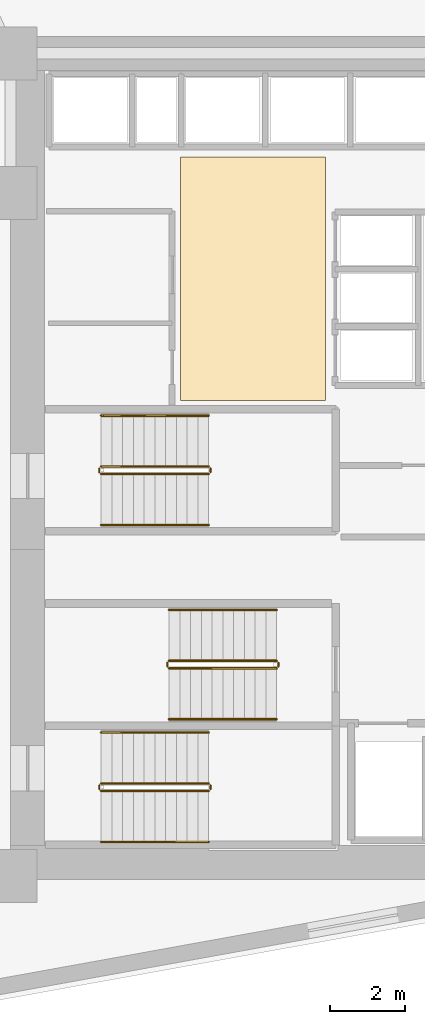
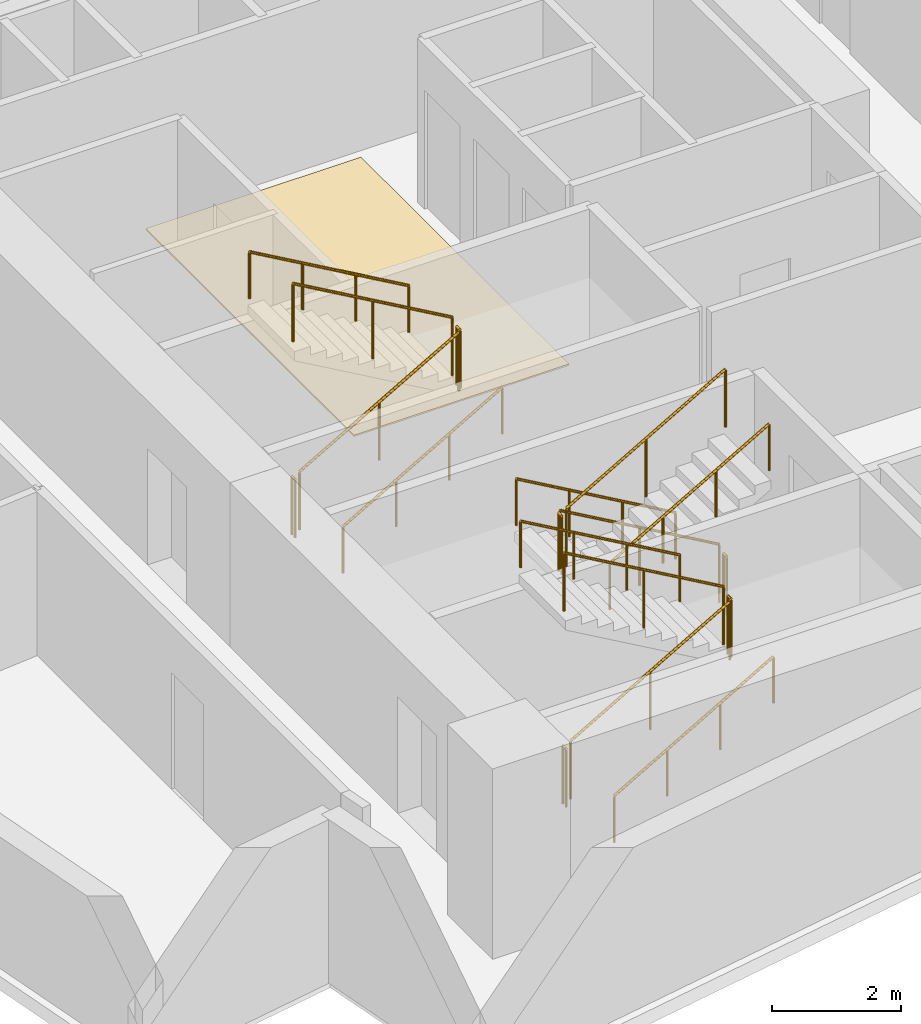
# One storey, part 19 of 20: 18 railings, 1 covering.
"""IFC4 building model written with IfcOpenShell, lengths in metres."""

from ifc_helpers import new_model, si_unit, direction, frame, origin, origin_2d, place, context, subcontext, project, spatial, polyline, circle, outline, extrude, material, layer, layer_set, type_object, element, save


model = new_model("IFC4")

# Units and contexts
model_context = context("Model", 3, precision=1e-05, world=origin(), true_north=direction((0.0, 1.0)))
body_context = subcontext(model_context, "Body", "Model", "MODEL_VIEW")
ifc_project = project(units=[si_unit("LENGTHUNIT", "METRE"), si_unit("AREAUNIT", "SQUARE_METRE"), si_unit("VOLUMEUNIT", "CUBIC_METRE"), si_unit("PLANEANGLEUNIT", "RADIAN"), si_unit("MASSUNIT", "GRAM", prefix="KILO")], contexts=[model_context])

# Site, building, storey
site_placement = place(None, origin())
site = spatial("IfcSite", under=ifc_project, at=site_placement, CompositionType="ELEMENT")
building_placement = place(site_placement, origin())
building = spatial("IfcBuilding", under=site, at=building_placement, Name="Narakoshi Arena Tower", CompositionType="ELEMENT")
storey_placement = place(building_placement, frame((0.0, 0.0, 124.5)))
storey = spatial("IfcBuildingStorey", under=building, at=storey_placement, Name="L33", CompositionType="ELEMENT", Elevation=124.5)

# Covering
ifc_material_1 = material(Name="Honed granite stone paving", Category="masonry")
ifc_layer = layer(ifc_material_1, 0.030029296875)
ifc_layer_set = layer_set([ifc_layer], Name="Honed granite stone paving")
covering_type = type_object("IfcCoveringType", Name="COV-FLR-ST30", PredefinedType="FLOORING", material=ifc_layer_set)
covering_placement = place(storey_placement, origin())
element("IfcCovering", 1, at=covering_placement, inside=storey, type_object=covering_type, Name="L33 Lift Lobby Granite Flooring", PredefinedType="FLOORING", context=body_context, shape_type="SweptSolid", body=[
    extrude(outline(polyline([(76.5, 47.300048828125), (80.35009765625, 47.300048828125), (80.35009765625, 53.75), (76.5, 53.75), (76.5, 47.300048828125)])), origin(), (0.0, 0.0, 1.0), 0.030029296875),
])

# Railings
ifc_material_2 = material(Name="Clear low-iron laminated structural glass", Category="glass")
railing_type_1 = type_object("IfcRailingType", Name="RL-BAL-1100", PredefinedType="BALUSTRADE", material=ifc_material_2)
railing_1_placement = place(storey_placement, frame((74.39990234375, 36.949951171875, 0.16357421875)))
element("IfcRailing", 2, at=railing_1_placement, inside=storey, type_object=railing_type_1, Name="L33 ST1 stair guard 1", PredefinedType="BALUSTRADE", context=body_context, shape_type="SweptSolid", body=[
    extrude(circle(Radius=0.02392578125, at=origin_2d()), frame((0.0, 0.0, 1.09619140625), z_axis=(0.86721270334, 0.0, 0.497937874806), x_axis=(0.0, 1.0, 0.0)), (0.0, 0.0, 1.0), 3.28662109375),
    extrude(circle(Radius=0.02099609375, at=origin_2d()), origin(), (0.0, 0.0, 1.0), 1.072021484375),
    extrude(circle(Radius=0.02099609375, at=origin_2d()), frame((1.425048828125, 0.0, 0.818359375)), (0.0, 0.0, 1.0), 1.072021484375),
    extrude(circle(Radius=0.02099609375, at=origin_2d()), frame((2.85009765625, 0.0, 1.636474609375)), (0.0, 0.0, 1.0), 1.072021484375),
])
railing_2_placement = place(storey_placement, frame((77.300048828125, 37.0, 1.800048828125)))
element("IfcRailing", 3, at=railing_2_placement, inside=storey, type_object=railing_type_1, Name="L33 ST1 stair guard 2", PredefinedType="BALUSTRADE", context=body_context, shape_type="SweptSolid", body=[
    extrude(circle(Radius=0.02392578125, at=origin_2d()), frame((0.0, 0.0, 1.09619140625), z_axis=(0.0, 1.0, 0.0), x_axis=(-1.0, 0.0, 0.0)), (0.0, 0.0, 1.0), 0.10009765625),
    extrude(circle(Radius=0.02099609375, at=origin_2d()), origin(), (0.0, 0.0, 1.0), 1.072021484375),
    extrude(circle(Radius=0.02099609375, at=origin_2d()), frame((0.0, 0.10009765625, 0.0)), (0.0, 0.0, 1.0), 1.072021484375),
])
railing_3_placement = place(storey_placement, frame((77.25, 37.14990234375, 1.963623046875)))
element("IfcRailing", 4, at=railing_3_placement, inside=storey, type_object=railing_type_1, Name="L33 ST1 stair guard 3", PredefinedType="BALUSTRADE", context=body_context, shape_type="SweptSolid", body=[
    extrude(circle(Radius=0.02392578125, at=origin_2d()), frame((0.0, 0.0, 1.09619140625), z_axis=(-0.86721270334, 0.0, 0.497937874806), x_axis=(0.0, -1.0, 0.0)), (0.0, 0.0, 1.0), 3.28662109375),
    extrude(circle(Radius=0.02099609375, at=origin_2d()), origin(), (0.0, 0.0, 1.0), 1.072021484375),
    extrude(circle(Radius=0.02099609375, at=origin_2d()), frame((-1.425048828125, 0.0, 0.818359375)), (0.0, 0.0, 1.0), 1.072021484375),
    extrude(circle(Radius=0.02099609375, at=origin_2d()), frame((-2.85009765625, 0.0, 1.636474609375)), (0.0, 0.0, 1.0), 1.072021484375),
])
railing_4_placement = place(storey_placement, frame((74.35009765625, 37.0, 0.0)))
element("IfcRailing", 5, at=railing_4_placement, inside=storey, type_object=railing_type_1, Name="L33 ST1 stair guard 4", PredefinedType="BALUSTRADE", context=body_context, shape_type="SweptSolid", body=[
    extrude(circle(Radius=0.02392578125, at=origin_2d()), frame((0.0, 0.0, 1.09619140625), z_axis=(0.0, 1.0, 0.0), x_axis=(-1.0, 0.0, 0.0)), (0.0, 0.0, 1.0), 0.10009765625),
    extrude(circle(Radius=0.02099609375, at=origin_2d()), origin(), (0.0, 0.0, 1.0), 1.072021484375),
    extrude(circle(Radius=0.02099609375, at=origin_2d()), frame((0.0, 0.10009765625, 0.0)), (0.0, 0.0, 1.0), 1.072021484375),
])
railing_5_placement = place(storey_placement, frame((79.050048828125, 40.39990234375, 0.16357421875)))
element("IfcRailing", 6, at=railing_5_placement, inside=storey, type_object=railing_type_1, Name="L33 ST2 stair guard 1", PredefinedType="BALUSTRADE", context=body_context, shape_type="SweptSolid", body=[
    extrude(circle(Radius=0.02392578125, at=origin_2d()), frame((0.0, 0.0, 1.09619140625), z_axis=(-0.86721270334, 0.0, 0.497937874806), x_axis=(0.0, -1.0, 0.0)), (0.0, 0.0, 1.0), 3.28662109375),
    extrude(circle(Radius=0.02099609375, at=origin_2d()), origin(), (0.0, 0.0, 1.0), 1.072021484375),
    extrude(circle(Radius=0.02099609375, at=origin_2d()), frame((-1.425048828125, 0.0, 0.818359375)), (0.0, 0.0, 1.0), 1.072021484375),
    extrude(circle(Radius=0.02099609375, at=origin_2d()), frame((-2.85009765625, 0.0, 1.636474609375)), (0.0, 0.0, 1.0), 1.072021484375),
])
railing_6_placement = place(storey_placement, frame((76.14990234375, 40.35009765625, 1.800048828125)))
element("IfcRailing", 7, at=railing_6_placement, inside=storey, type_object=railing_type_1, Name="L33 ST2 stair guard 2", PredefinedType="BALUSTRADE", context=body_context, shape_type="SweptSolid", body=[
    extrude(circle(Radius=0.02392578125, at=origin_2d()), frame((0.0, 0.0, 1.09619140625), z_axis=(0.0, -1.0, 0.0), x_axis=(1.0, 0.0, 0.0)), (0.0, 0.0, 1.0), 0.10009765625),
    extrude(circle(Radius=0.02099609375, at=origin_2d()), origin(), (0.0, 0.0, 1.0), 1.072021484375),
    extrude(circle(Radius=0.02099609375, at=origin_2d()), frame((0.0, -0.10009765625, 0.0)), (0.0, 0.0, 1.0), 1.072021484375),
])
railing_7_placement = place(storey_placement, frame((76.199951171875, 40.199951171875, 1.963623046875)))
element("IfcRailing", 8, at=railing_7_placement, inside=storey, type_object=railing_type_1, Name="L33 ST2 stair guard 3", PredefinedType="BALUSTRADE", context=body_context, shape_type="SweptSolid", body=[
    extrude(circle(Radius=0.02392578125, at=origin_2d()), frame((0.0, 0.0, 1.09619140625), z_axis=(0.86721270334, 0.0, 0.497937874806), x_axis=(0.0, 1.0, 0.0)), (0.0, 0.0, 1.0), 3.28662109375),
    extrude(circle(Radius=0.02099609375, at=origin_2d()), origin(), (0.0, 0.0, 1.0), 1.072021484375),
    extrude(circle(Radius=0.02099609375, at=origin_2d()), frame((1.425048828125, 0.0, 0.818359375)), (0.0, 0.0, 1.0), 1.072021484375),
    extrude(circle(Radius=0.02099609375, at=origin_2d()), frame((2.85009765625, 0.0, 1.636474609375)), (0.0, 0.0, 1.0), 1.072021484375),
])
railing_8_placement = place(storey_placement, frame((79.10009765625, 40.35009765625, 0.0)))
element("IfcRailing", 9, at=railing_8_placement, inside=storey, type_object=railing_type_1, Name="L33 ST2 stair guard 4", PredefinedType="BALUSTRADE", context=body_context, shape_type="SweptSolid", body=[
    extrude(circle(Radius=0.02392578125, at=origin_2d()), frame((0.0, 0.0, 1.09619140625), z_axis=(0.0, -1.0, 0.0), x_axis=(1.0, 0.0, 0.0)), (0.0, 0.0, 1.0), 0.10009765625),
    extrude(circle(Radius=0.02099609375, at=origin_2d()), origin(), (0.0, 0.0, 1.0), 1.072021484375),
    extrude(circle(Radius=0.02099609375, at=origin_2d()), frame((0.0, -0.10009765625, 0.0)), (0.0, 0.0, 1.0), 1.072021484375),
])
railing_9_placement = place(storey_placement, frame((74.39990234375, 45.35009765625, 0.16357421875)))
element("IfcRailing", 10, at=railing_9_placement, inside=storey, type_object=railing_type_1, Name="L33 ST3 stair guard 1", PredefinedType="BALUSTRADE", context=body_context, shape_type="SweptSolid", body=[
    extrude(circle(Radius=0.02392578125, at=origin_2d()), frame((0.0, 0.0, 1.09619140625), z_axis=(0.86721270334, 0.0, 0.497937874806), x_axis=(0.0, 1.0, 0.0)), (0.0, 0.0, 1.0), 3.28662109375),
    extrude(circle(Radius=0.02099609375, at=origin_2d()), origin(), (0.0, 0.0, 1.0), 1.072021484375),
    extrude(circle(Radius=0.02099609375, at=origin_2d()), frame((1.425048828125, 0.0, 0.818359375)), (0.0, 0.0, 1.0), 1.072021484375),
    extrude(circle(Radius=0.02099609375, at=origin_2d()), frame((2.85009765625, 0.0, 1.636474609375)), (0.0, 0.0, 1.0), 1.072021484375),
])
railing_10_placement = place(storey_placement, frame((77.300048828125, 45.39990234375, 1.800048828125)))
element("IfcRailing", 11, at=railing_10_placement, inside=storey, type_object=railing_type_1, Name="L33 ST3 stair guard 2", PredefinedType="BALUSTRADE", context=body_context, shape_type="SweptSolid", body=[
    extrude(circle(Radius=0.02392578125, at=origin_2d()), frame((0.0, 0.0, 1.09619140625), z_axis=(0.0, 1.0, 0.0), x_axis=(-1.0, 0.0, 0.0)), (0.0, 0.0, 1.0), 0.10009765625),
    extrude(circle(Radius=0.02099609375, at=origin_2d()), origin(), (0.0, 0.0, 1.0), 1.072021484375),
    extrude(circle(Radius=0.02099609375, at=origin_2d()), frame((0.0, 0.10009765625, 0.0)), (0.0, 0.0, 1.0), 1.072021484375),
])
railing_11_placement = place(storey_placement, frame((77.25, 45.550048828125, 1.963623046875)))
element("IfcRailing", 12, at=railing_11_placement, inside=storey, type_object=railing_type_1, Name="L33 ST3 stair guard 3", PredefinedType="BALUSTRADE", context=body_context, shape_type="SweptSolid", body=[
    extrude(circle(Radius=0.02392578125, at=origin_2d()), frame((0.0, 0.0, 1.09619140625), z_axis=(-0.86721270334, 0.0, 0.497937874806), x_axis=(0.0, -1.0, 0.0)), (0.0, 0.0, 1.0), 3.28662109375),
    extrude(circle(Radius=0.02099609375, at=origin_2d()), origin(), (0.0, 0.0, 1.0), 1.072021484375),
    extrude(circle(Radius=0.02099609375, at=origin_2d()), frame((-1.425048828125, 0.0, 0.818359375)), (0.0, 0.0, 1.0), 1.072021484375),
    extrude(circle(Radius=0.02099609375, at=origin_2d()), frame((-2.85009765625, 0.0, 1.636474609375)), (0.0, 0.0, 1.0), 1.072021484375),
])
railing_12_placement = place(storey_placement, frame((74.35009765625, 45.39990234375, 0.0)))
element("IfcRailing", 13, at=railing_12_placement, inside=storey, type_object=railing_type_1, Name="L33 ST3 stair guard 4", PredefinedType="BALUSTRADE", context=body_context, shape_type="SweptSolid", body=[
    extrude(circle(Radius=0.02392578125, at=origin_2d()), frame((0.0, 0.0, 1.09619140625), z_axis=(0.0, 1.0, 0.0), x_axis=(-1.0, 0.0, 0.0)), (0.0, 0.0, 1.0), 0.10009765625),
    extrude(circle(Radius=0.02099609375, at=origin_2d()), origin(), (0.0, 0.0, 1.0), 1.072021484375),
    extrude(circle(Radius=0.02099609375, at=origin_2d()), frame((0.0, 0.10009765625, 0.0)), (0.0, 0.0, 1.0), 1.072021484375),
])
ifc_material_3 = material(Name="Brushed bronze stainless steel", Category="steel")
railing_type_2 = type_object("IfcRailingType", Name="RL-HND-900", PredefinedType="HANDRAIL", material=ifc_material_3)
railing_13_placement = place(storey_placement, frame((74.39990234375, 35.60009765625, 0.16357421875)))
element("IfcRailing", 14, at=railing_13_placement, inside=storey, type_object=railing_type_2, Name="L33 ST1 stair handrail 1", PredefinedType="HANDRAIL", context=body_context, shape_type="SweptSolid", body=[
    extrude(circle(Radius=0.02392578125, at=origin_2d()), frame((0.0, 0.0, 0.8759765625), z_axis=(0.86721270334, 0.0, 0.497937874806), x_axis=(0.0, 1.0, 0.0)), (0.0, 0.0, 1.0), 3.28662109375),
    extrude(circle(Radius=0.02099609375, at=origin_2d()), origin(), (0.0, 0.0, 1.0), 0.851806640625),
    extrude(circle(Radius=0.02099609375, at=origin_2d()), frame((0.949951171875, 0.0, 0.54541015625)), (0.0, 0.0, 1.0), 0.851806640625),
    extrude(circle(Radius=0.02099609375, at=origin_2d()), frame((1.900146484375, 0.0, 1.091064453125)), (0.0, 0.0, 1.0), 0.851806640625),
    extrude(circle(Radius=0.02099609375, at=origin_2d()), frame((2.85009765625, 0.0, 1.636474609375)), (0.0, 0.0, 1.0), 0.851806640625),
])
for number, where, name in (
    (15, (77.25, 38.5, 1.963623046875), "L33 ST1 stair handrail 2"),
    (16, (79.050048828125, 41.75, 0.16357421875), "L33 ST2 stair handrail 1"),
):
    element("IfcRailing", number, at=place(storey_placement, frame(where)), inside=storey, type_object=railing_type_2, Name=name, PredefinedType="HANDRAIL", context=body_context, shape_type="SweptSolid", body=[
        extrude(circle(Radius=0.02392578125, at=origin_2d()), frame((0.0, 0.0, 0.8759765625), z_axis=(-0.86721270334, 0.0, 0.497937874806), x_axis=(0.0, -1.0, 0.0)), (0.0, 0.0, 1.0), 3.28662109375),
        extrude(circle(Radius=0.02099609375, at=origin_2d()), origin(), (0.0, 0.0, 1.0), 0.851806640625),
        extrude(circle(Radius=0.02099609375, at=origin_2d()), frame((-0.949951171875, 0.0, 0.54541015625)), (0.0, 0.0, 1.0), 0.851806640625),
        extrude(circle(Radius=0.02099609375, at=origin_2d()), frame((-1.900146484375, 0.0, 1.091064453125)), (0.0, 0.0, 1.0), 0.851806640625),
        extrude(circle(Radius=0.02099609375, at=origin_2d()), frame((-2.85009765625, 0.0, 1.636474609375)), (0.0, 0.0, 1.0), 0.851806640625),
    ])
for number, where, name in (
    (17, (76.199951171875, 38.85009765625, 1.963623046875), "L33 ST2 stair handrail 2"),
    (18, (74.39990234375, 44.0, 0.16357421875), "L33 ST3 stair handrail 1"),
):
    element("IfcRailing", number, at=place(storey_placement, frame(where)), inside=storey, type_object=railing_type_2, Name=name, PredefinedType="HANDRAIL", context=body_context, shape_type="SweptSolid", body=[
        extrude(circle(Radius=0.02392578125, at=origin_2d()), frame((0.0, 0.0, 0.8759765625), z_axis=(0.86721270334, 0.0, 0.497937874806), x_axis=(0.0, 1.0, 0.0)), (0.0, 0.0, 1.0), 3.28662109375),
        extrude(circle(Radius=0.02099609375, at=origin_2d()), origin(), (0.0, 0.0, 1.0), 0.851806640625),
        extrude(circle(Radius=0.02099609375, at=origin_2d()), frame((0.949951171875, 0.0, 0.54541015625)), (0.0, 0.0, 1.0), 0.851806640625),
        extrude(circle(Radius=0.02099609375, at=origin_2d()), frame((1.900146484375, 0.0, 1.091064453125)), (0.0, 0.0, 1.0), 0.851806640625),
        extrude(circle(Radius=0.02099609375, at=origin_2d()), frame((2.85009765625, 0.0, 1.636474609375)), (0.0, 0.0, 1.0), 0.851806640625),
    ])
railing_14_placement = place(storey_placement, frame((77.25, 46.89990234375, 1.963623046875)))
element("IfcRailing", 19, at=railing_14_placement, inside=storey, type_object=railing_type_2, Name="L33 ST3 stair handrail 2", PredefinedType="HANDRAIL", context=body_context, shape_type="SweptSolid", body=[
    extrude(circle(Radius=0.02392578125, at=origin_2d()), frame((0.0, 0.0, 0.8759765625), z_axis=(-0.86721270334, 0.0, 0.497937874806), x_axis=(0.0, -1.0, 0.0)), (0.0, 0.0, 1.0), 3.28662109375),
    extrude(circle(Radius=0.02099609375, at=origin_2d()), origin(), (0.0, 0.0, 1.0), 0.851806640625),
    extrude(circle(Radius=0.02099609375, at=origin_2d()), frame((-0.949951171875, 0.0, 0.54541015625)), (0.0, 0.0, 1.0), 0.851806640625),
    extrude(circle(Radius=0.02099609375, at=origin_2d()), frame((-1.900146484375, 0.0, 1.091064453125)), (0.0, 0.0, 1.0), 0.851806640625),
    extrude(circle(Radius=0.02099609375, at=origin_2d()), frame((-2.85009765625, 0.0, 1.636474609375)), (0.0, 0.0, 1.0), 0.851806640625),
])

save(model, "model.ifc")
